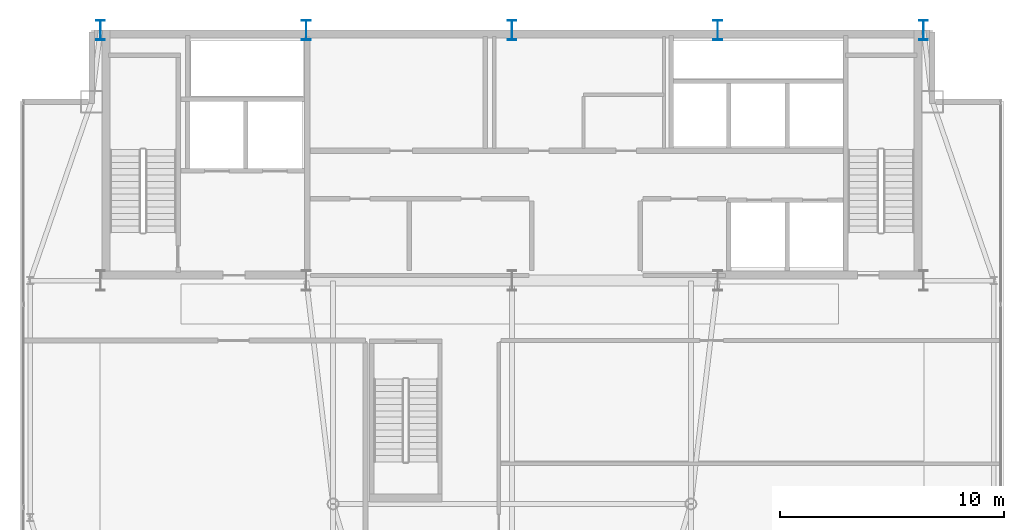
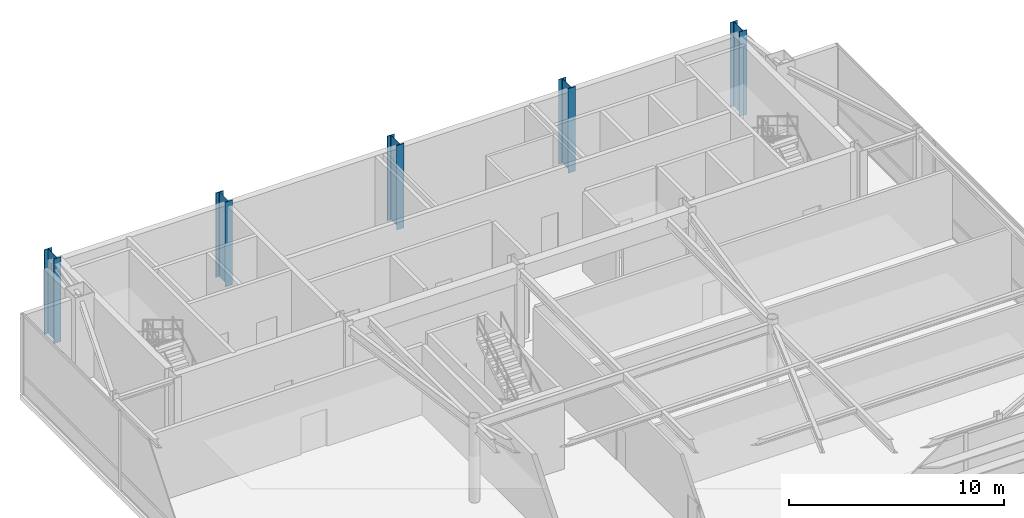
# One storey, part 3 of 21: 5 columns.
"""IFC4 building model written with IfcOpenShell, lengths in metres."""

from ifc_helpers import new_model, si_unit, direction, frame, origin, origin_2d, place, context, subcontext, project, spatial, i_section, extrude, source, transform, mapped, material, material_profile, profile_set, type_object, type_shapes, element, save


model = new_model("IFC4")

# Units and contexts
model_context = context("Model", 3, precision=1e-05, world=origin(), true_north=direction((0.0, 1.0)))
body_context = subcontext(model_context, "Body", "Model", "MODEL_VIEW")
ifc_project = project(units=[si_unit("LENGTHUNIT", "METRE"), si_unit("AREAUNIT", "SQUARE_METRE"), si_unit("VOLUMEUNIT", "CUBIC_METRE"), si_unit("PLANEANGLEUNIT", "RADIAN"), si_unit("MASSUNIT", "GRAM", prefix="KILO")], contexts=[model_context])

# Site, building, storey
site_placement = place(None, origin())
site = spatial("IfcSite", under=ifc_project, at=site_placement, CompositionType="ELEMENT")
building_placement = place(site_placement, origin())
building = spatial("IfcBuilding", under=site, at=building_placement, Name="Varnel Quay Broadcast Tower", CompositionType="ELEMENT")
storey_placement = place(building_placement, frame((0.0, 0.0, 300.199951171875)))
storey = spatial("IfcBuildingStorey", under=building, at=storey_placement, Name="L75", CompositionType="ELEMENT", Elevation=300.199951171875)

# Columns
ifc_material = material(Name="Structural Steel CSA G40.21 350WT", Category="steel")
ifc_material_profile = material_profile(ifc_material, i_section(OverallWidth=0.39990234375, OverallDepth=0.89990234375, WebThickness=0.01611328125, FlangeThickness=0.028076171875, FilletRadius=0.01611328125, at=origin_2d()), Name="WWF900X309")
ifc_profile_set = profile_set([ifc_material_profile], Name="Structural Steel CSA G40.21 350WT")
column_type = type_object("IfcColumnType", Name="Col_WWF900X309", PredefinedType="COLUMN", material=ifc_profile_set)
shared_shape = source(origin(), body_context, "Body", "SweptSolid", [
    extrude(i_section(OverallWidth=0.39990234375, OverallDepth=0.89990234375, WebThickness=0.01611328125, FlangeThickness=0.028076171875, FilletRadius=0.01611328125, at=origin_2d()), origin(), (0.0, 0.0, 1.0), 4.800048828125),
])
type_shapes(column_type, [shared_shape])
for number, where, z_axis, x_axis, name in (
    (1, (15.60009765625, 46.800048828125, 0.0), (0.0, 0.0, 1.0), (1.0, 0.0, 0.0), "L75 Column CC-N1"),
    (2, (24.800048828125, 46.800048828125, 0.0), (0.0, 0.0, 1.0), (1.0, 0.0, 0.0), "L75 Column CC-N2"),
    (3, (34.0, 46.800048828125, 0.0), (0.0, 0.0, 1.0), (1.0, 0.0, 0.0), "L75 Column CC-N3"),
    (4, (43.199951171875, 46.800048828125, 0.0), (0.0, 0.0, 1.0), (1.0, 0.0, 0.0), "L75 Column CC-N4"),
    (5, (52.39990234375, 46.800048828125, 0.0), (0.0, 0.0, 1.0), (1.0, 0.0, 0.0), "L75 Column CC-N5"),
):
    element("IfcColumn", number, at=place(storey_placement, frame(where, z_axis=z_axis, x_axis=x_axis)), inside=storey, type_object=column_type, Name=name, PredefinedType="COLUMN", context=body_context, shape_type="MappedRepresentation", body=[
        mapped(shared_shape, transform((0.0, 0.0, 0.0), x_axis=(1.0, 0.0, 0.0), y_axis=(0.0, 1.0, 0.0), z_axis=(0.0, 0.0, 1.0), scale=1.0)),
    ])

save(model, "model.ifc")
